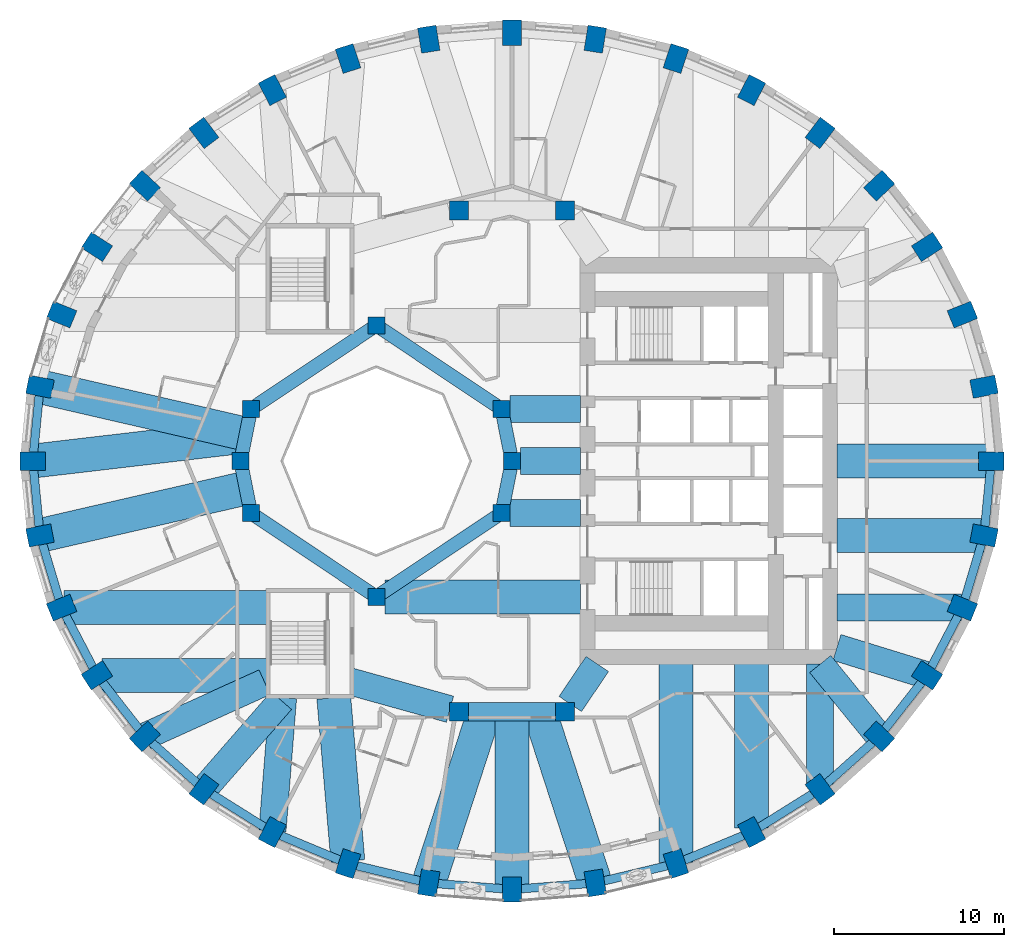
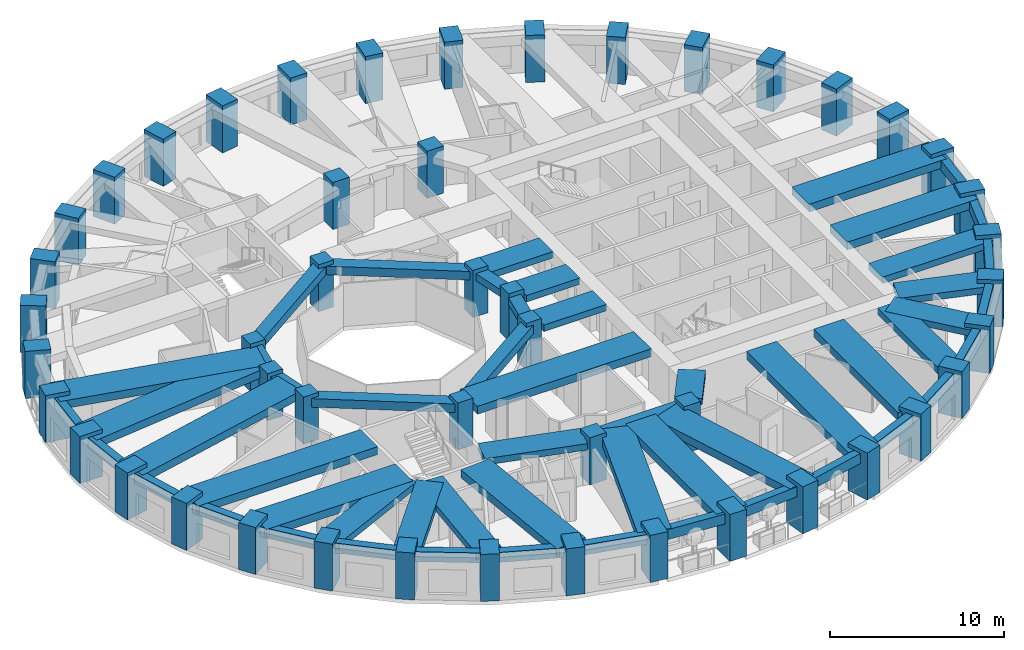
# One storey, part 1 of 13: 54 beams, 48 columns.
"""IFC4 building model written with IfcOpenShell, lengths in metres."""

import ifcopenshell
import ifcopenshell.guid

model = None  # the IFC model being written
_history = None  # IfcOwnerHistory: only IFC2X3 demands one
_inside = {}  # id of a spatial element -> (the spatial element, [elements in it])
_under = {}  # id of a project, library or spatial element -> (it, [spatial elements below it])
_declared = {}  # id of a project -> (the project, [libraries it declares])
_typed = {}  # id of a type object -> (the type object, [elements of that type])
_made_of = {}  # id of a material, layer set ... -> (it, [elements and type objects made of it])


def new_model(schema):
    """Start an empty IFC model of exactly this schema.

    Asked for "IFC4X3", IfcOpenShell would pick the latest addendum, in which some entities
    have other attributes; the version numbers below select the first issue.
    IFC2X3 requires an IfcOwnerHistory on every rooted entity: one is made here for all.
    """
    global model, _history
    if schema == "IFC4X3":
        model = ifcopenshell.file(schema_version=(4, 3, 0, 0))
    else:
        model = ifcopenshell.file(schema=schema)
    _inside.clear()
    _under.clear()
    _declared.clear()
    _typed.clear()
    _made_of.clear()
    _history = None
    if model.schema == "IFC2X3":
        org = make("IfcOrganization", Name="unknown")
        user = make(
            "IfcPersonAndOrganization",
            ThePerson=make("IfcPerson", FamilyName="unknown"),
            TheOrganization=org,
        )
        app = make(
            "IfcApplication",
            ApplicationDeveloper=org,
            Version="unknown",
            ApplicationFullName="unknown",
            ApplicationIdentifier="unknown",
        )
        _history = make(
            "IfcOwnerHistory",
            OwningUser=user,
            OwningApplication=app,
            ChangeAction="ADDED",
            CreationDate=0,
        )
    return model


def make(cls, **values):
    """One entity of the class cls with the attributes given. An attribute that is None is left unset."""
    return model.create_entity(
        cls, **{name: value for name, value in values.items() if value is not None}
    )


def rooted(cls, **values):
    """An entity with a GlobalId (a new one), such as an element, a storey or a relation."""
    return make(cls, GlobalId=ifcopenshell.guid.new(), OwnerHistory=_history, **values)


def si_unit(unit_type, name, prefix=None):
    """IfcSIUnit, for example si_unit("LENGTHUNIT", "METRE", prefix="MILLI")."""
    return make("IfcSIUnit", UnitType=unit_type, Prefix=prefix, Name=name)


def assignment(units):
    """IfcUnitAssignment: the units of a project."""
    return None if units is None else make("IfcUnitAssignment", Units=units)


def point(xyz):
    """IfcCartesianPoint."""
    return None if xyz is None else make("IfcCartesianPoint", Coordinates=xyz)


def direction(xyz):
    """IfcDirection."""
    return None if xyz is None else make("IfcDirection", DirectionRatios=xyz)


def frame(location, z_axis=None, x_axis=None):
    """IfcAxis2Placement3D, a coordinate frame: its origin and axes. An axis left out is left unset."""
    return make(
        "IfcAxis2Placement3D",
        Location=point(location),
        Axis=direction(z_axis),
        RefDirection=direction(x_axis),
    )


def frame_2d(location, x_axis=None):
    """IfcAxis2Placement2D, a coordinate frame in the plane: its origin and x axis."""
    return make(
        "IfcAxis2Placement2D", Location=point(location), RefDirection=direction(x_axis)
    )


def origin():
    """The frame at (0, 0, 0) with its axes left unset."""
    return frame((0.0, 0.0, 0.0))


def origin_2d():
    """The frame at (0, 0) in the plane with its x axis left unset."""
    return frame_2d((0.0, 0.0))


def place(relative_to, where):
    """IfcLocalPlacement: puts the frame where relative to a parent placement (None: the world)."""
    return make(
        "IfcLocalPlacement", PlacementRelTo=relative_to, RelativePlacement=where
    )


def context(
    kind, dimensions, precision=None, world=None, true_north=None, identifier=None
):
    """IfcGeometricRepresentationContext, for example the 3D "Model" context."""
    return make(
        "IfcGeometricRepresentationContext",
        ContextIdentifier=identifier,
        ContextType=kind,
        CoordinateSpaceDimension=dimensions,
        Precision=precision,
        WorldCoordinateSystem=world,
        TrueNorth=true_north,
    )


def subcontext(parent, identifier, kind, view, scale=None):
    """IfcGeometricRepresentationSubContext, for example "Body" below "Model"."""
    return make(
        "IfcGeometricRepresentationSubContext",
        ContextIdentifier=identifier,
        ContextType=kind,
        ParentContext=parent,
        TargetScale=scale,
        TargetView=view,
    )


def project(units=None, contexts=None):
    """IfcProject with its units and contexts."""
    return rooted(
        "IfcProject",
        Name="project",
        RepresentationContexts=contexts,
        UnitsInContext=assignment(units),
    )


def spatial(cls, under=None, at=None, **own):
    """A site, building, storey or space (cls), placed at a placement, below another one or the project."""
    s = rooted(cls, ObjectPlacement=at, **own)
    if under is not None:
        _under.setdefault(under.id(), (under, []))[1].append(s)
    return s


def profile(cls, at=None, kind="AREA", **sizes):
    """A parametric profile (cls). Its sizes go by their IFC names, for example OverallWidth=200.0."""
    return make(cls, ProfileType=kind, Position=at, **sizes)


def rectangle(**sizes):
    """IfcRectangleProfileDef."""
    return profile("IfcRectangleProfileDef", **sizes)


def extrude(swept, where, along, depth):
    """IfcExtrudedAreaSolid: the profile swept, set in the frame where, extruded along a direction by depth."""
    return make(
        "IfcExtrudedAreaSolid",
        SweptArea=swept,
        Position=where,
        ExtrudedDirection=direction(along),
        Depth=depth,
    )


def shape(context_of_items, identifier, shape_type, items):
    """IfcShapeRepresentation: the items that make up one representation, for example the "Body"."""
    return make(
        "IfcShapeRepresentation",
        ContextOfItems=context_of_items,
        RepresentationIdentifier=identifier,
        RepresentationType=shape_type,
        Items=items,
    )


def material(Name=None, Category=None):
    """IfcMaterial."""
    return make("IfcMaterial", Name=Name, Category=Category)


def material_profile(
    of_material, cross_section, Name=None, Category=None, Priority=None
):
    """IfcMaterialProfile: a cross section and its material."""
    return make(
        "IfcMaterialProfile",
        Name=Name,
        Material=of_material,
        Profile=cross_section,
        Priority=Priority,
        Category=Category,
    )


def profile_set(profiles, Name=None, composite=None):
    """IfcMaterialProfileSet."""
    return make(
        "IfcMaterialProfileSet",
        Name=Name,
        MaterialProfiles=profiles,
        CompositeProfile=composite,
    )


def made_of(thing, what):
    """Note that an element or type object is made of a material, layer set ...; save() writes the relation."""
    if what is not None:
        _made_of.setdefault(what.id(), (what, []))[1].append(thing)
    return thing


def type_object(cls, material=None, **own):
    """A type object (cls), such as IfcWallType, which elements share."""
    return made_of(rooted(cls, **own), material)


def element(
    cls,
    number,
    at=None,
    inside=None,
    cuts=None,
    type_object=None,
    material=None,
    context=None,
    identifier="Body",
    shape_type=None,
    held_by="IfcProductDefinitionShape",
    body=None,
    shapes=None,
    **own,
):
    """One element of the class cls, such as IfcWall. Its Tag is "e" and its number.

    at: its placement. inside: the storey or other place that contains it. cuts: it is an
    opening in that element (IfcRelVoidsElement). A single representation is given by context,
    identifier, shape_type and body (its items); several are given by shapes. held_by: the class
    of the entity that holds the representations. save() writes the other relations.
    """
    e = rooted(cls, Tag="e%d" % number, ObjectPlacement=at, **own)
    if body is not None:
        shapes = [shape(context, identifier, shape_type, body)]
    if shapes is not None:
        e.Representation = make(held_by, Representations=shapes)
    if inside is not None:
        _inside.setdefault(inside.id(), (inside, []))[1].append(e)
    if cuts is not None:
        rooted(
            "IfcRelVoidsElement", RelatingBuildingElement=cuts, RelatedOpeningElement=e
        )
    if type_object is not None:
        _typed.setdefault(type_object.id(), (type_object, []))[1].append(e)
    return made_of(e, material)


def aggregate(whole, parts):
    """IfcRelAggregates: a whole, such as a stair, and the parts it consists of."""
    return rooted("IfcRelAggregates", RelatingObject=whole, RelatedObjects=parts)


def save(model, path):
    """Write the relations noted so far, then the file.

    IfcRelAggregates (storeys below a building ...), IfcRelContainedInSpatialStructure (elements
    in a storey), IfcRelDefinesByType, IfcRelAssociatesMaterial and IfcRelDeclares: one each for
    every whole, place, type object, material and project.
    """
    for whole, parts in _under.values():
        aggregate(whole, parts)
    for where, things in _inside.values():
        rooted(
            "IfcRelContainedInSpatialStructure",
            RelatedElements=things,
            RelatingStructure=where,
        )
    for kind, things in _typed.values():
        rooted("IfcRelDefinesByType", RelatedObjects=things, RelatingType=kind)
    for what, things in _made_of.values():
        rooted("IfcRelAssociatesMaterial", RelatedObjects=things, RelatingMaterial=what)
    for by, libraries in _declared.values():
        rooted("IfcRelDeclares", RelatingContext=by, RelatedDefinitions=libraries)
    model.write(path)


model = new_model("IFC4")

# Units and contexts
model_context = context("Model", 3, precision=1e-05, world=origin(), true_north=direction((0.0, 1.0)))
body_context = subcontext(model_context, "Body", "Model", "MODEL_VIEW")
ifc_project = project(units=[si_unit("LENGTHUNIT", "METRE"), si_unit("AREAUNIT", "SQUARE_METRE"), si_unit("VOLUMEUNIT", "CUBIC_METRE"), si_unit("PLANEANGLEUNIT", "RADIAN"), si_unit("MASSUNIT", "GRAM", prefix="KILO")], contexts=[model_context])

# Site, building, storey
site_placement = place(None, origin())
site = spatial("IfcSite", under=ifc_project, at=site_placement, CompositionType="ELEMENT")
building_placement = place(site_placement, origin())
building = spatial("IfcBuilding", under=site, at=building_placement, Name="Taillehof Tower", CompositionType="ELEMENT")
storey_placement = place(building_placement, frame((0.0, 0.0, 74.5)))
storey = spatial("IfcBuildingStorey", under=building, at=storey_placement, Name="L20", CompositionType="ELEMENT", Elevation=74.5)

# Columns
ifc_material_1 = material(Name="Concrete C50/60", Category="concrete")
ifc_material_profile_1 = material_profile(ifc_material_1, rectangle(XDim=1.0, YDim=1.0, at=origin_2d()), Name="RC 1000x1000")
ifc_profile_set_1 = profile_set([ifc_material_profile_1], Name="Concrete C50/60")
column_type_1 = type_object("IfcColumnType", Name="Atrium ring column C50/60 1000x1000", PredefinedType="COLUMN", material=ifc_profile_set_1)
for number, where, z_axis, x_axis, name in (
    (1, (0.0, 0.0, 0.0), (0.0, 0.0, 1.0), (1.0, 0.0, 0.0), "Column AC01"),
    (2, (-0.60888671875, 3.0615234375, 0.0), (0.0, 0.0, 1.0), (1.0, 0.0, 0.0), "Column AC02"),
    (3, (-8.0, 8.0, 0.0), (0.0, 0.0, 1.0), (1.0, 0.0, 0.0), "Column AC05"),
    (4, (-15.39111328125, 3.0615234375, 0.0), (0.0, 0.0, 1.0), (1.0, 0.0, 0.0), "Column AC08"),
    (5, (-16.0, 0.0, 0.0), (0.0, 0.0, 1.0), (1.0, 0.0, 0.0), "Column AC09"),
    (6, (-15.39111328125, -3.0615234375, 0.0), (0.0, 0.0, 1.0), (1.0, 0.0, 0.0), "Column AC10"),
    (7, (-8.0, -8.0, 0.0), (0.0, 0.0, 1.0), (1.0, 0.0, 0.0), "Column AC13"),
    (8, (-0.60888671875, -3.0615234375, 0.0), (0.0, 0.0, 1.0), (1.0, 0.0, 0.0), "Column AC16"),
):
    element("IfcColumn", number, at=place(storey_placement, frame(where, z_axis=z_axis, x_axis=x_axis)), inside=storey, type_object=column_type_1, Name=name, PredefinedType="COLUMN", context=body_context, shape_type="SweptSolid", body=[
        extrude(rectangle(XDim=1.0, YDim=1.0, at=origin_2d()), origin(), (0.0, 0.0, 1.0), 3.300048828125),
    ])
ifc_material_2 = material(Name="Concrete C50/60", Category="concrete")
ifc_material_profile_2 = material_profile(ifc_material_2, rectangle(XDim=1.10009765625, YDim=1.10009765625, at=origin_2d()), Name="RC 1100x1100")
ifc_profile_set_2 = profile_set([ifc_material_profile_2], Name="Concrete C50/60")
column_type_2 = type_object("IfcColumnType", Name="Mid-ring column C50/60 1100x1100", PredefinedType="COLUMN", material=ifc_profile_set_2)
for number, where, z_axis, x_axis, name in (
    (9, (3.125732421875, 14.772216796875, 0.0), (0.0, 0.0, 1.0), (1.0, 0.0, 0.0), "Column MC05"),
    (10, (3.125732421875, -14.772216796875, 0.0), (0.0, 0.0, 1.0), (1.0, 0.0, 0.0), "Column MC15"),
):
    element("IfcColumn", number, at=place(storey_placement, frame(where, z_axis=z_axis, x_axis=x_axis)), inside=storey, type_object=column_type_2, Name=name, PredefinedType="COLUMN", context=body_context, shape_type="SweptSolid", body=[
        extrude(rectangle(XDim=1.10009765625, YDim=1.10009765625, at=origin_2d()), origin(), (0.0, 0.0, 1.0), 3.300048828125),
    ])
ifc_material_3 = material(Name="Concrete C60/75", Category="concrete")
ifc_material_profile_3 = material_profile(ifc_material_3, rectangle(XDim=1.10009765625, YDim=1.10009765625, at=origin_2d()), Name="RC 1100x1100")
ifc_profile_set_3 = profile_set([ifc_material_profile_3], Name="Concrete C60/75")
column_type_3 = type_object("IfcColumnType", Name="Mid-ring column C60/75 1100x1100", PredefinedType="COLUMN", material=ifc_profile_set_3)
for number, where, z_axis, x_axis, name in (
    (11, (-3.125732421875, 14.772216796875, 0.0), (0.0, 0.0, 1.0), (1.0, 0.0, 0.0), "Column MC06"),
    (12, (-3.125732421875, -14.772216796875, 0.0), (0.0, 0.0, 1.0), (1.0, 0.0, 0.0), "Column MC14"),
):
    element("IfcColumn", number, at=place(storey_placement, frame(where, z_axis=z_axis, x_axis=x_axis)), inside=storey, type_object=column_type_3, Name=name, PredefinedType="COLUMN", context=body_context, shape_type="SweptSolid", body=[
        extrude(rectangle(XDim=1.10009765625, YDim=1.10009765625, at=origin_2d()), origin(), (0.0, 0.0, 1.0), 3.300048828125),
    ])
ifc_material_4 = material(Name="Concrete C70/85", Category="concrete")
ifc_material_profile_4 = material_profile(ifc_material_4, rectangle(XDim=1.5, YDim=1.10009765625, at=origin_2d()), Name="RC 1500x1100")
ifc_profile_set_4 = profile_set([ifc_material_profile_4], Name="Concrete C70/85")
column_type_4 = type_object("IfcColumnType", Name="Ring column C70/85 1500x1100", PredefinedType="COLUMN", material=ifc_profile_set_4)
for number, where, z_axis, x_axis, name in (
    (13, (28.25, 0.0, 0.0), (0.0, 0.0, 1.0), (1.0, 0.0, 0.0), "Ring column RC01"),
    (14, (27.82080078125, 4.384521484375, 0.0), (0.0, 0.0, 1.0), (0.98120354895, 0.192975634545, 0.0), "Ring column RC02"),
    (15, (26.54638671875, 8.635986328125, 0.0), (0.0, 0.0, 1.0), (0.926558045297, 0.37615181602, 0.0), "Ring column RC03"),
    (16, (24.46533203125, 12.625, 0.0), (0.0, 0.0, 1.0), (0.840753565229, 0.541417992456, 0.0), "Ring column RC04"),
    (17, (21.640869140625, 16.23046875, 0.0), (0.0, 0.0, 1.0), (0.730113022917, 0.683326403535, 0.0), "Ring column RC05"),
    (18, (18.15869140625, 19.342529296875, 0.0), (0.0, 0.0, 1.0), (0.601173783055, 0.79911831575, 0.0), "Ring column RC06"),
    (19, (14.125, 21.8671875, 0.0), (0.0, 0.0, 1.0), (0.459691308511, 0.888078769524, 0.0), "Ring column RC07"),
    (20, (9.662109375, 23.727294921875, 0.0), (0.0, 0.0, 1.0), (0.310219183529, 0.950665060981, 0.0), "Ring column RC08"),
    (21, (4.905517578125, 24.866455078125, 0.0), (0.0, 0.0, 1.0), (0.15614709407, 0.987733812833, 0.0), "Ring column RC09"),
    (22, (0.0, 25.25, 0.0), (0.0, 0.0, 1.0), (0.0, 1.0, 0.0), "Ring column RC10"),
    (23, (-4.905517578125, 24.866455078125, 0.0), (0.0, 0.0, 1.0), (-0.15614709407, 0.987733812833, 0.0), "Ring column RC11"),
    (24, (-9.662109375, 23.727294921875, 0.0), (0.0, 0.0, 1.0), (-0.310219183529, 0.950665060981, 0.0), "Ring column RC12"),
    (25, (-14.125, 21.8671875, 0.0), (0.0, 0.0, 1.0), (-0.459691308511, 0.888078769524, 0.0), "Ring column RC13"),
    (26, (-18.15869140625, 19.342529296875, 0.0), (0.0, 0.0, 1.0), (-0.601173783055, 0.79911831575, 0.0), "Ring column RC14"),
    (27, (-21.640869140625, 16.23046875, 0.0), (0.0, 0.0, 1.0), (-0.730113022917, 0.683326403535, 0.0), "Ring column RC15"),
    (28, (-24.46533203125, 12.625, 0.0), (0.0, 0.0, 1.0), (-0.840753565229, 0.541417992456, 0.0), "Ring column RC16"),
    (29, (-26.54638671875, 8.635986328125, 0.0), (0.0, 0.0, 1.0), (-0.926558045297, 0.37615181602, 0.0), "Ring column RC17"),
    (30, (-27.82080078125, 4.384521484375, 0.0), (0.0, 0.0, 1.0), (-0.98120354895, 0.192975634545, 0.0), "Ring column RC18"),
    (31, (-28.25, 0.0, 0.0), (0.0, 0.0, 1.0), (-1.0, 0.0, 0.0), "Ring column RC19"),
    (32, (-27.82080078125, -4.384521484375, 0.0), (0.0, 0.0, 1.0), (-0.98120354895, -0.192975634545, 0.0), "Ring column RC20"),
    (33, (-26.54638671875, -8.635986328125, 0.0), (0.0, 0.0, 1.0), (-0.926558045297, -0.37615181602, 0.0), "Ring column RC21"),
    (34, (-24.46533203125, -12.625, 0.0), (0.0, 0.0, 1.0), (-0.840753565229, -0.541417992456, 0.0), "Ring column RC22"),
    (35, (-21.640869140625, -16.23046875, 0.0), (0.0, 0.0, 1.0), (-0.730113022917, -0.683326403535, 0.0), "Ring column RC23"),
    (36, (-18.15869140625, -19.342529296875, 0.0), (0.0, 0.0, 1.0), (-0.601173783055, -0.79911831575, 0.0), "Ring column RC24"),
    (37, (-14.125, -21.8671875, 0.0), (0.0, 0.0, 1.0), (-0.459691308511, -0.888078769524, 0.0), "Ring column RC25"),
    (38, (-9.662109375, -23.727294921875, 0.0), (0.0, 0.0, 1.0), (-0.310219183529, -0.950665060981, 0.0), "Ring column RC26"),
    (39, (-4.905517578125, -24.866455078125, 0.0), (0.0, 0.0, 1.0), (-0.15614709407, -0.987733812833, 0.0), "Ring column RC27"),
    (40, (0.0, -25.25, 0.0), (0.0, 0.0, 1.0), (0.0, -1.0, 0.0), "Ring column RC28"),
    (41, (4.905517578125, -24.866455078125, 0.0), (0.0, 0.0, 1.0), (0.15614709407, -0.987733812833, 0.0), "Ring column RC29"),
    (42, (9.662109375, -23.727294921875, 0.0), (0.0, 0.0, 1.0), (0.310219183529, -0.950665060981, 0.0), "Ring column RC30"),
    (43, (14.125, -21.8671875, 0.0), (0.0, 0.0, 1.0), (0.459691308511, -0.888078769524, 0.0), "Ring column RC31"),
    (44, (18.15869140625, -19.342529296875, 0.0), (0.0, 0.0, 1.0), (0.601173783055, -0.79911831575, 0.0), "Ring column RC32"),
    (45, (21.640869140625, -16.23046875, 0.0), (0.0, 0.0, 1.0), (0.730113022917, -0.683326403535, 0.0), "Ring column RC33"),
    (46, (24.46533203125, -12.625, 0.0), (0.0, 0.0, 1.0), (0.840753565229, -0.541417992456, 0.0), "Ring column RC34"),
    (47, (26.54638671875, -8.635986328125, 0.0), (0.0, 0.0, 1.0), (0.926558045297, -0.37615181602, 0.0), "Ring column RC35"),
    (48, (27.82080078125, -4.384521484375, 0.0), (0.0, 0.0, 1.0), (0.98120354895, -0.192975634545, 0.0), "Ring column RC36"),
):
    element("IfcColumn", number, at=place(storey_placement, frame(where, z_axis=z_axis, x_axis=x_axis)), inside=storey, type_object=column_type_4, Name=name, PredefinedType="COLUMN", context=body_context, shape_type="SweptSolid", body=[
        extrude(rectangle(XDim=1.5, YDim=1.10009765625, at=origin_2d()), origin(), (0.0, 0.0, 1.0), 3.300048828125),
    ])

# Beams
ifc_material_5 = material(Name="Concrete C50/60", Category="concrete")
ifc_material_profile_5 = material_profile(ifc_material_5, rectangle(XDim=0.800048828125, YDim=0.5, at=origin_2d()), Name="RC 800x500")
ifc_profile_set_5 = profile_set([ifc_material_profile_5], Name="Concrete C50/60")
beam_type_1 = type_object("IfcBeamType", Name="Atrium ring beam C50/60 800x500", PredefinedType="BEAM", material=ifc_profile_set_5)
for number, where, z_axis, x_axis, name in (
    (49, (0.0, 0.0, 2.77001953125), (-0.195063155143, 0.980790683839, 0.0), (-0.980790683839, -0.195063155143, 0.0), "Atrium ring beam AB01"),
    (50, (-15.39111328125, 3.0615234375, 2.77001953125), (-0.195063155143, -0.980790683839, 0.0), (0.980790683839, -0.195063155143, 0.0), "Atrium ring beam AB04"),
    (51, (-16.0, 0.0, 2.77001953125), (0.195063155143, -0.980790683839, 0.0), (0.980790683839, 0.195063155143, 0.0), "Atrium ring beam AB05"),
    (52, (-0.60888671875, -3.0615234375, 2.77001953125), (0.195063155143, 0.980790683839, 0.0), (-0.980790683839, 0.195063155143, 0.0), "Atrium ring beam AB08"),
):
    element("IfcBeam", number, at=place(storey_placement, frame(where, z_axis=z_axis, x_axis=x_axis)), inside=storey, type_object=beam_type_1, Name=name, PredefinedType="BEAM", context=body_context, shape_type="SweptSolid", body=[
        extrude(rectangle(XDim=0.800048828125, YDim=0.5, at=origin_2d()), origin(), (0.0, 0.0, 1.0), 3.12158203125),
    ])
ifc_material_6 = material(Name="Concrete C50/60", Category="concrete")
ifc_material_profile_6 = material_profile(ifc_material_6, rectangle(XDim=0.800048828125, YDim=0.60009765625, at=origin_2d()), Name="RC 800x600")
ifc_profile_set_6 = profile_set([ifc_material_profile_6], Name="Concrete C50/60")
beam_type_2 = type_object("IfcBeamType", Name="Atrium ring beam C50/60 800x600", PredefinedType="BEAM", material=ifc_profile_set_6)
for number, where, z_axis, x_axis, name in (
    (53, (-0.60888671875, 3.0615234375, 2.719970703125), (-0.831475195687, 0.555561876804, 0.0), (-0.555561876804, -0.831475195687, 0.0), "Atrium ring beam AB02"),
    (54, (-8.0, 8.0, 2.719970703125), (-0.831475195687, -0.555561876804, 0.0), (0.555561876804, -0.831475195687, 0.0), "Atrium ring beam AB03"),
    (55, (-15.39111328125, -3.0615234375, 2.719970703125), (0.831475195687, -0.555561876804, 0.0), (0.555561876804, 0.831475195687, 0.0), "Atrium ring beam AB06"),
    (56, (-8.0, -8.0, 2.719970703125), (0.831475195687, 0.555561876804, 0.0), (-0.555561876804, 0.831475195687, 0.0), "Atrium ring beam AB07"),
):
    element("IfcBeam", number, at=place(storey_placement, frame(where, z_axis=z_axis, x_axis=x_axis)), inside=storey, type_object=beam_type_2, Name=name, PredefinedType="BEAM", context=body_context, shape_type="SweptSolid", body=[
        extrude(rectangle(XDim=0.800048828125, YDim=0.60009765625, at=origin_2d()), origin(), (0.0, 0.0, 1.0), 8.88916015625),
    ])
ifc_material_7 = material(Name="Concrete C50/60", Category="concrete")
ifc_material_profile_7 = material_profile(ifc_material_7, rectangle(XDim=1.10009765625, YDim=0.60009765625, at=origin_2d()), Name="RC 1100x600")
ifc_profile_set_7 = profile_set([ifc_material_profile_7], Name="Concrete C50/60")
beam_type_3 = type_object("IfcBeamType", Name="Mid-ring beam C50/60 1100x600", PredefinedType="BEAM", material=ifc_profile_set_7)
beam_1_placement = place(storey_placement, frame((-3.125732421875, -14.772216796875, 2.719970703125), z_axis=(1.0, 0.0, 0.0), x_axis=(0.0, 1.0, 0.0)))
element("IfcBeam", 57, at=beam_1_placement, inside=storey, type_object=beam_type_3, Name="Mid-ring beam MB02", PredefinedType="BEAM", context=body_context, shape_type="SweptSolid", body=[
    extrude(rectangle(XDim=1.10009765625, YDim=0.60009765625, at=origin_2d()), origin(), (0.0, 0.0, 1.0), 6.25146484375),
])
ifc_material_8 = material(Name="Concrete C50/60", Category="concrete")
ifc_material_profile_8 = material_profile(ifc_material_8, rectangle(XDim=1.60009765625, YDim=0.449951171875, at=origin_2d()), Name="RC 1600x450")
ifc_profile_set_8 = profile_set([ifc_material_profile_8], Name="Concrete C50/60")
beam_type_4 = type_object("IfcBeamType", Name="Radial band beam C50/60 1600x450", PredefinedType="BEAM", material=ifc_profile_set_8)
beam_2_placement = place(storey_placement, frame((-21.632568359375, -16.226806640625, 2.794921875), z_axis=(0.911100590789, 0.412184077161, 0.0), x_axis=(-0.412184077161, 0.911100590789, 0.0)))
element("IfcBeam", 58, at=beam_2_placement, inside=storey, type_object=beam_type_4, Name="Radial band beam RB23", PredefinedType="BEAM", context=body_context, shape_type="SweptSolid", body=[
    extrude(rectangle(XDim=1.60009765625, YDim=0.449951171875, at=origin_2d()), origin(), (0.0, 0.0, 1.0), 7.740966796875),
])
beam_3_placement = place(storey_placement, frame((-18.15869140625, -19.342529296875, 2.794921875), z_axis=(0.65721824087, 0.753700327628, 0.0), x_axis=(-0.753700327628, 0.65721824087, 0.0)))
element("IfcBeam", 59, at=beam_3_placement, inside=storey, type_object=beam_type_4, Name="Radial band beam RB24", PredefinedType="BEAM", context=body_context, shape_type="SweptSolid", body=[
    extrude(rectangle(XDim=1.60009765625, YDim=0.449951171875, at=origin_2d()), origin(), (0.0, 0.0, 1.0), 6.9384765625),
])
beam_4_placement = place(storey_placement, frame((-14.119873046875, -21.802978515625, 2.794921875), z_axis=(0.079184740988, 0.996859958467, 0.0), x_axis=(-0.996859958467, 0.079184740988, 0.0)))
element("IfcBeam", 60, at=beam_4_placement, inside=storey, type_object=beam_type_4, Name="Radial band beam RB25", PredefinedType="BEAM", context=body_context, shape_type="SweptSolid", body=[
    extrude(rectangle(XDim=1.60009765625, YDim=0.449951171875, at=origin_2d()), origin(), (0.0, 0.0, 1.0), 7.87744140625),
])
beam_5_placement = place(storey_placement, frame((18.15869140625, -19.05517578125, 2.794921875), z_axis=(0.0, 1.0, 0.0), x_axis=(-1.0, 0.0, 0.0)))
element("IfcBeam", 61, at=beam_5_placement, inside=storey, type_object=beam_type_4, Name="Radial band beam RB32", PredefinedType="BEAM", context=body_context, shape_type="SweptSolid", body=[
    extrude(rectangle(XDim=1.60009765625, YDim=0.449951171875, at=origin_2d()), origin(), (0.0, 0.0, 1.0), 7.105224609375),
])
beam_6_placement = place(storey_placement, frame((21.640869140625, -16.23046875, 2.794921875), z_axis=(-0.630988373846, 0.775792286679, 0.0), x_axis=(-0.775792286679, -0.630988373846, 0.0)))
element("IfcBeam", 62, at=beam_6_placement, inside=storey, type_object=beam_type_4, Name="Radial band beam RB33", PredefinedType="BEAM", context=body_context, shape_type="SweptSolid", body=[
    extrude(rectangle(XDim=1.60009765625, YDim=0.449951171875, at=origin_2d()), origin(), (0.0, 0.0, 1.0), 5.503173828125),
])
beam_7_placement = place(storey_placement, frame((24.46533203125, -12.625, 2.794921875), z_axis=(-0.955535654338, 0.294875589511, 0.0), x_axis=(-0.294875589511, -0.955535654338, 0.0)))
element("IfcBeam", 63, at=beam_7_placement, inside=storey, type_object=beam_type_4, Name="Radial band beam RB34", PredefinedType="BEAM", context=body_context, shape_type="SweptSolid", body=[
    extrude(rectangle(XDim=1.60009765625, YDim=0.449951171875, at=origin_2d()), origin(), (0.0, 0.0, 1.0), 5.560546875),
])
beam_8_placement = place(storey_placement, frame((26.490478515625, -8.635986328125, 2.794921875), z_axis=(-1.0, 0.0, 0.0), x_axis=(0.0, -1.0, 0.0)))
element("IfcBeam", 64, at=beam_8_placement, inside=storey, type_object=beam_type_4, Name="Radial band beam RB35", PredefinedType="BEAM", context=body_context, shape_type="SweptSolid", body=[
    extrude(rectangle(XDim=1.60009765625, YDim=0.449951171875, at=origin_2d()), origin(), (0.0, 0.0, 1.0), 7.340576171875),
])
beam_9_placement = place(storey_placement, frame((0.5, 0.0, 2.794921875), z_axis=(1.0, 0.0, 0.0), x_axis=(0.0, 1.0, 0.0)))
element("IfcBeam", 65, at=beam_9_placement, inside=storey, type_object=beam_type_4, Name="Inner band beam IB101", PredefinedType="BEAM", context=body_context, shape_type="SweptSolid", body=[
    extrude(rectangle(XDim=1.60009765625, YDim=0.449951171875, at=origin_2d()), origin(), (0.0, 0.0, 1.0), 3.550048828125),
])
for number, where, z_axis, x_axis, name in (
    (66, (-0.10888671875, 3.0615234375, 2.794921875), (1.0, 0.0, 0.0), (0.0, 1.0, 0.0), "Inner band beam IB102"),
    (67, (-0.10888671875, -3.0615234375, 2.794921875), (1.0, 0.0, 0.0), (0.0, 1.0, 0.0), "Inner band beam IB116"),
):
    element("IfcBeam", number, at=place(storey_placement, frame(where, z_axis=z_axis, x_axis=x_axis)), inside=storey, type_object=beam_type_4, Name=name, PredefinedType="BEAM", context=body_context, shape_type="SweptSolid", body=[
        extrude(rectangle(XDim=1.60009765625, YDim=0.449951171875, at=origin_2d()), origin(), (0.0, 0.0, 1.0), 4.158935546875),
    ])
beam_10_placement = place(storey_placement, frame((-3.655517578125, -14.624755859375, 2.794921875), z_axis=(-0.963459369536, 0.267854518821, 0.0), x_axis=(-0.267854518821, -0.963459369536, 0.0)))
element("IfcBeam", 68, at=beam_10_placement, inside=storey, type_object=beam_type_4, Name="Inner band beam IB214", PredefinedType="BEAM", context=body_context, shape_type="SweptSolid", body=[
    extrude(rectangle(XDim=1.60009765625, YDim=0.449951171875, at=origin_2d()), origin(), (0.0, 0.0, 1.0), 6.096923828125),
])
beam_11_placement = place(storey_placement, frame((3.433837890625, -14.31640625, 2.794921875), z_axis=(0.560112043398, 0.828416862962, 0.0), x_axis=(-0.828416862962, 0.560112043398, 0.0)))
element("IfcBeam", 69, at=beam_11_placement, inside=storey, type_object=beam_type_4, Name="Inner band beam IB215", PredefinedType="BEAM", context=body_context, shape_type="SweptSolid", body=[
    extrude(rectangle(XDim=1.60009765625, YDim=0.449951171875, at=origin_2d()), origin(), (0.0, 0.0, 1.0), 2.84619140625),
])
ifc_material_9 = material(Name="Concrete C50/60", Category="concrete")
ifc_material_profile_9 = material_profile(ifc_material_9, rectangle(XDim=2.0, YDim=0.550048828125, at=origin_2d()), Name="RC 2000x550")
ifc_profile_set_9 = profile_set([ifc_material_profile_9], Name="Concrete C50/60")
beam_type_5 = type_object("IfcBeamType", Name="Radial band beam C50/60 2000x550", PredefinedType="BEAM", material=ifc_profile_set_9)
beam_12_placement = place(storey_placement, frame((28.25, 0.0, 2.7451171875), z_axis=(-1.0, 0.0, 0.0), x_axis=(0.0, -1.0, 0.0)))
element("IfcBeam", 70, at=beam_12_placement, inside=storey, type_object=beam_type_5, Name="Radial band beam RB01", PredefinedType="BEAM", context=body_context, shape_type="SweptSolid", body=[
    extrude(rectangle(XDim=2.0, YDim=0.550048828125, at=origin_2d()), origin(), (0.0, 0.0, 1.0), 9.10009765625),
])
beam_13_placement = place(storey_placement, frame((-27.82080078125, 4.384521484375, 2.7451171875), z_axis=(0.974509005862, -0.2243483842, 0.0), x_axis=(0.2243483842, 0.974509005862, 0.0)))
element("IfcBeam", 71, at=beam_13_placement, inside=storey, type_object=beam_type_5, Name="Radial band beam RB18", PredefinedType="BEAM", context=body_context, shape_type="SweptSolid", body=[
    extrude(rectangle(XDim=2.0, YDim=0.550048828125, at=origin_2d()), origin(), (0.0, 0.0, 1.0), 12.45458984375),
])
beam_14_placement = place(storey_placement, frame((-28.25, 0.0, 2.7451171875), z_axis=(0.993191188018, 0.11649576835, 0.0), x_axis=(-0.11649576835, 0.993191188018, 0.0)))
element("IfcBeam", 72, at=beam_14_placement, inside=storey, type_object=beam_type_5, Name="Radial band beam RB19", PredefinedType="BEAM", context=body_context, shape_type="SweptSolid", body=[
    extrude(rectangle(XDim=2.0, YDim=0.550048828125, at=origin_2d()), origin(), (0.0, 0.0, 1.0), 12.628662109375),
])
beam_15_placement = place(storey_placement, frame((-27.82080078125, -4.384521484375, 2.7451171875), z_axis=(0.974509005862, 0.2243483842, 0.0), x_axis=(-0.2243483842, 0.974509005862, 0.0)))
element("IfcBeam", 73, at=beam_15_placement, inside=storey, type_object=beam_type_5, Name="Radial band beam RB20", PredefinedType="BEAM", context=body_context, shape_type="SweptSolid", body=[
    extrude(rectangle(XDim=2.0, YDim=0.550048828125, at=origin_2d()), origin(), (0.0, 0.0, 1.0), 12.45458984375),
])
beam_16_placement = place(storey_placement, frame((-26.408935546875, -8.635986328125, 2.7451171875), z_axis=(1.0, 0.0, 0.0), x_axis=(0.0, 1.0, 0.0)))
element("IfcBeam", 74, at=beam_16_placement, inside=storey, type_object=beam_type_5, Name="Radial band beam RB21", PredefinedType="BEAM", context=body_context, shape_type="SweptSolid", body=[
    extrude(rectangle(XDim=2.0, YDim=0.550048828125, at=origin_2d()), origin(), (0.0, 0.0, 1.0), 11.958984375),
])
beam_17_placement = place(storey_placement, frame((-24.172607421875, -12.625, 2.7451171875), z_axis=(1.0, 0.0, 0.0), x_axis=(0.0, 1.0, 0.0)))
element("IfcBeam", 75, at=beam_17_placement, inside=storey, type_object=beam_type_5, Name="Radial band beam RB22", PredefinedType="BEAM", context=body_context, shape_type="SweptSolid", body=[
    extrude(rectangle(XDim=2.0, YDim=0.550048828125, at=origin_2d()), origin(), (0.0, 0.0, 1.0), 9.72265625),
])
beam_18_placement = place(storey_placement, frame((-9.675048828125, -23.575927734375, 2.7451171875), z_axis=(-0.085841202752, 0.996308831593, 0.0), x_axis=(-0.996308831593, -0.085841202752, 0.0)))
element("IfcBeam", 76, at=beam_18_placement, inside=storey, type_object=beam_type_5, Name="Radial band beam RB26", PredefinedType="BEAM", context=body_context, shape_type="SweptSolid", body=[
    extrude(rectangle(XDim=2.0, YDim=0.550048828125, at=origin_2d()), origin(), (0.0, 0.0, 1.0), 9.661376953125),
])
beam_19_placement = place(storey_placement, frame((-4.905517578125, -24.866455078125, 2.7451171875), z_axis=(0.309014294595, 0.951057393503, 0.0), x_axis=(-0.951057393503, 0.309014294595, 0.0)))
element("IfcBeam", 77, at=beam_19_placement, inside=storey, type_object=beam_type_5, Name="Radial band beam RB27", PredefinedType="BEAM", context=body_context, shape_type="SweptSolid", body=[
    extrude(rectangle(XDim=2.0, YDim=0.550048828125, at=origin_2d()), origin(), (0.0, 0.0, 1.0), 10.61376953125),
])
beam_20_placement = place(storey_placement, frame((0.0, -25.25, 2.7451171875), z_axis=(0.0, 1.0, 0.0), x_axis=(-1.0, 0.0, 0.0)))
element("IfcBeam", 78, at=beam_20_placement, inside=storey, type_object=beam_type_5, Name="Radial band beam RB28", PredefinedType="BEAM", context=body_context, shape_type="SweptSolid", body=[
    extrude(rectangle(XDim=2.0, YDim=0.550048828125, at=origin_2d()), origin(), (0.0, 0.0, 1.0), 10.477783203125),
])
beam_21_placement = place(storey_placement, frame((4.905517578125, -24.866455078125, 2.7451171875), z_axis=(-0.309014294595, 0.951057393503, 0.0), x_axis=(-0.951057393503, -0.309014294595, 0.0)))
element("IfcBeam", 79, at=beam_21_placement, inside=storey, type_object=beam_type_5, Name="Radial band beam RB29", PredefinedType="BEAM", context=body_context, shape_type="SweptSolid", body=[
    extrude(rectangle(XDim=2.0, YDim=0.550048828125, at=origin_2d()), origin(), (0.0, 0.0, 1.0), 10.61376953125),
])
beam_22_placement = place(storey_placement, frame((9.662109375, -23.664794921875, 2.7451171875), z_axis=(0.0, 1.0, 0.0), x_axis=(-1.0, 0.0, 0.0)))
element("IfcBeam", 80, at=beam_22_placement, inside=storey, type_object=beam_type_5, Name="Radial band beam RB30", PredefinedType="BEAM", context=body_context, shape_type="SweptSolid", body=[
    extrude(rectangle(XDim=2.0, YDim=0.550048828125, at=origin_2d()), origin(), (0.0, 0.0, 1.0), 11.71484375),
])
beam_23_placement = place(storey_placement, frame((14.125, -21.63232421875, 2.7451171875), z_axis=(0.0, 1.0, 0.0), x_axis=(-1.0, 0.0, 0.0)))
element("IfcBeam", 81, at=beam_23_placement, inside=storey, type_object=beam_type_5, Name="Radial band beam RB31", PredefinedType="BEAM", context=body_context, shape_type="SweptSolid", body=[
    extrude(rectangle(XDim=2.0, YDim=0.550048828125, at=origin_2d()), origin(), (0.0, 0.0, 1.0), 9.682373046875),
])
beam_24_placement = place(storey_placement, frame((27.82080078125, -4.384521484375, 2.7451171875), z_axis=(-1.0, 0.0, 0.0), x_axis=(0.0, -1.0, 0.0)))
element("IfcBeam", 82, at=beam_24_placement, inside=storey, type_object=beam_type_5, Name="Radial band beam RB36", PredefinedType="BEAM", context=body_context, shape_type="SweptSolid", body=[
    extrude(rectangle(XDim=2.0, YDim=0.550048828125, at=origin_2d()), origin(), (0.0, 0.0, 1.0), 8.6708984375),
])
beam_25_placement = place(storey_placement, frame((-7.5, -8.0, 2.7451171875), z_axis=(1.0, 0.0, 0.0), x_axis=(0.0, 1.0, 0.0)))
element("IfcBeam", 83, at=beam_25_placement, inside=storey, type_object=beam_type_5, Name="Inner band beam IB113", PredefinedType="BEAM", context=body_context, shape_type="SweptSolid", body=[
    extrude(rectangle(XDim=2.0, YDim=0.550048828125, at=origin_2d()), origin(), (0.0, 0.0, 1.0), 11.550048828125),
])
ifc_material_10 = material(Name="Concrete C50/60", Category="concrete")
ifc_material_profile_10 = material_profile(ifc_material_10, rectangle(XDim=0.5, YDim=0.699951171875, at=origin_2d()), Name="RC 500x700")
ifc_profile_set_10 = profile_set([ifc_material_profile_10], Name="Concrete C50/60")
beam_type_6 = type_object("IfcBeamType", Name="Spandrel beam C50/60 500x700", PredefinedType="SPANDREL", material=ifc_profile_set_10)
for number, where, z_axis, x_axis, name in (
    (84, (-27.82080078125, 4.384521484375, 2.669921875), (-0.097423973567, -0.99524297002, 0.0), (0.99524297002, -0.097423973567, 0.0), "Spandrel beam SB18"),
    (85, (-28.25, 0.0, 2.669921875), (0.097423973567, -0.99524297002, 0.0), (0.99524297002, 0.097423973567, 0.0), "Spandrel beam SB19"),
):
    element("IfcBeam", number, at=place(storey_placement, frame(where, z_axis=z_axis, x_axis=x_axis)), inside=storey, type_object=beam_type_6, Name=name, PredefinedType="SPANDREL", context=body_context, shape_type="SweptSolid", body=[
        extrude(rectangle(XDim=0.5, YDim=0.699951171875, at=origin_2d()), origin(), (0.0, 0.0, 1.0), 4.405517578125),
    ])
beam_26_placement = place(storey_placement, frame((-27.82080078125, -4.384521484375, 2.669921875), z_axis=(0.287135925407, -0.957889847707, 0.0), x_axis=(0.957889847707, 0.287135925407, 0.0)))
element("IfcBeam", 86, at=beam_26_placement, inside=storey, type_object=beam_type_6, Name="Spandrel beam SB20", PredefinedType="SPANDREL", context=body_context, shape_type="SweptSolid", body=[
    extrude(rectangle(XDim=0.5, YDim=0.699951171875, at=origin_2d()), origin(), (0.0, 0.0, 1.0), 4.4384765625),
])
beam_27_placement = place(storey_placement, frame((-26.54638671875, -8.635986328125, 2.669921875), z_axis=(0.462536335232, -0.886600326297, 0.0), x_axis=(0.886600326297, 0.462536335232, 0.0)))
element("IfcBeam", 87, at=beam_27_placement, inside=storey, type_object=beam_type_6, Name="Spandrel beam SB21", PredefinedType="SPANDREL", context=body_context, shape_type="SweptSolid", body=[
    extrude(rectangle(XDim=0.5, YDim=0.699951171875, at=origin_2d()), origin(), (0.0, 0.0, 1.0), 4.499267578125),
])
beam_28_placement = place(storey_placement, frame((-24.46533203125, -12.625, 2.669921875), z_axis=(0.616686200373, -0.787209076593, 0.0), x_axis=(0.787209076593, 0.616686200373, 0.0)))
element("IfcBeam", 88, at=beam_28_placement, inside=storey, type_object=beam_type_6, Name="Spandrel beam SB22", PredefinedType="SPANDREL", context=body_context, shape_type="SweptSolid", body=[
    extrude(rectangle(XDim=0.5, YDim=0.699951171875, at=origin_2d()), origin(), (0.0, 0.0, 1.0), 4.580078125),
])
beam_29_placement = place(storey_placement, frame((-21.640869140625, -16.23046875, 2.669921875), z_axis=(0.745621283614, -0.666369943366, 0.0), x_axis=(0.666369943366, 0.745621283614, 0.0)))
element("IfcBeam", 89, at=beam_29_placement, inside=storey, type_object=beam_type_6, Name="Spandrel beam SB23", PredefinedType="SPANDREL", context=body_context, shape_type="SweptSolid", body=[
    extrude(rectangle(XDim=0.5, YDim=0.699951171875, at=origin_2d()), origin(), (0.0, 0.0, 1.0), 4.670166015625),
])
beam_30_placement = place(storey_placement, frame((-18.15869140625, -19.342529296875, 2.669921875), z_axis=(0.847658018883, -0.530543007703, 0.0), x_axis=(0.530543007703, 0.847658018883, 0.0)))
element("IfcBeam", 90, at=beam_30_placement, inside=storey, type_object=beam_type_6, Name="Spandrel beam SB24", PredefinedType="SPANDREL", context=body_context, shape_type="SweptSolid", body=[
    extrude(rectangle(XDim=0.5, YDim=0.699951171875, at=origin_2d()), origin(), (0.0, 0.0, 1.0), 4.758544921875),
])
beam_31_placement = place(storey_placement, frame((-14.125, -21.8671875, 2.669921875), z_axis=(0.923035088053, -0.384715773297, 0.0), x_axis=(0.384715773297, 0.923035088053, 0.0)))
element("IfcBeam", 91, at=beam_31_placement, inside=storey, type_object=beam_type_6, Name="Spandrel beam SB25", PredefinedType="SPANDREL", context=body_context, shape_type="SweptSolid", body=[
    extrude(rectangle(XDim=0.5, YDim=0.699951171875, at=origin_2d()), origin(), (0.0, 0.0, 1.0), 4.8349609375),
])
beam_32_placement = place(storey_placement, frame((-9.662109375, -23.727294921875, 2.669921875), z_axis=(0.9724995553, -0.232904733616, 0.0), x_axis=(0.232904733616, 0.9724995553, 0.0)))
element("IfcBeam", 92, at=beam_32_placement, inside=storey, type_object=beam_type_6, Name="Spandrel beam SB26", PredefinedType="SPANDREL", context=body_context, shape_type="SweptSolid", body=[
    extrude(rectangle(XDim=0.5, YDim=0.699951171875, at=origin_2d()), origin(), (0.0, 0.0, 1.0), 4.89111328125),
])
for number, where, z_axis, x_axis, name in (
    (93, (-4.905517578125, -24.866455078125, 2.669921875), (0.996957383661, -0.077948541767, 0.0), (0.077948541767, 0.996957383661, 0.0), "Spandrel beam SB27"),
    (94, (0.0, -25.25, 2.669921875), (0.996957383661, 0.077948541767, 0.0), (-0.077948541767, 0.996957383661, 0.0), "Spandrel beam SB28"),
):
    element("IfcBeam", number, at=place(storey_placement, frame(where, z_axis=z_axis, x_axis=x_axis)), inside=storey, type_object=beam_type_6, Name=name, PredefinedType="SPANDREL", context=body_context, shape_type="SweptSolid", body=[
        extrude(rectangle(XDim=0.5, YDim=0.699951171875, at=origin_2d()), origin(), (0.0, 0.0, 1.0), 4.92041015625),
    ])
beam_33_placement = place(storey_placement, frame((4.905517578125, -24.866455078125, 2.669921875), z_axis=(0.9724995553, 0.232904733616, 0.0), x_axis=(-0.232904733616, 0.9724995553, 0.0)))
element("IfcBeam", 95, at=beam_33_placement, inside=storey, type_object=beam_type_6, Name="Spandrel beam SB29", PredefinedType="SPANDREL", context=body_context, shape_type="SweptSolid", body=[
    extrude(rectangle(XDim=0.5, YDim=0.699951171875, at=origin_2d()), origin(), (0.0, 0.0, 1.0), 4.89111328125),
])
beam_34_placement = place(storey_placement, frame((9.662109375, -23.727294921875, 2.669921875), z_axis=(0.923035088053, 0.384715773297, 0.0), x_axis=(-0.384715773297, 0.923035088053, 0.0)))
element("IfcBeam", 96, at=beam_34_placement, inside=storey, type_object=beam_type_6, Name="Spandrel beam SB30", PredefinedType="SPANDREL", context=body_context, shape_type="SweptSolid", body=[
    extrude(rectangle(XDim=0.5, YDim=0.699951171875, at=origin_2d()), origin(), (0.0, 0.0, 1.0), 4.8349609375),
])
beam_35_placement = place(storey_placement, frame((14.125, -21.8671875, 2.669921875), z_axis=(0.847658018883, 0.530543007703, 0.0), x_axis=(-0.530543007703, 0.847658018883, 0.0)))
element("IfcBeam", 97, at=beam_35_placement, inside=storey, type_object=beam_type_6, Name="Spandrel beam SB31", PredefinedType="SPANDREL", context=body_context, shape_type="SweptSolid", body=[
    extrude(rectangle(XDim=0.5, YDim=0.699951171875, at=origin_2d()), origin(), (0.0, 0.0, 1.0), 4.758544921875),
])
beam_36_placement = place(storey_placement, frame((18.15869140625, -19.342529296875, 2.669921875), z_axis=(0.745621283614, 0.666369943366, 0.0), x_axis=(-0.666369943366, 0.745621283614, 0.0)))
element("IfcBeam", 98, at=beam_36_placement, inside=storey, type_object=beam_type_6, Name="Spandrel beam SB32", PredefinedType="SPANDREL", context=body_context, shape_type="SweptSolid", body=[
    extrude(rectangle(XDim=0.5, YDim=0.699951171875, at=origin_2d()), origin(), (0.0, 0.0, 1.0), 4.670166015625),
])
beam_37_placement = place(storey_placement, frame((21.640869140625, -16.23046875, 2.669921875), z_axis=(0.616686200373, 0.787209076593, 0.0), x_axis=(-0.787209076593, 0.616686200373, 0.0)))
element("IfcBeam", 99, at=beam_37_placement, inside=storey, type_object=beam_type_6, Name="Spandrel beam SB33", PredefinedType="SPANDREL", context=body_context, shape_type="SweptSolid", body=[
    extrude(rectangle(XDim=0.5, YDim=0.699951171875, at=origin_2d()), origin(), (0.0, 0.0, 1.0), 4.580078125),
])
beam_38_placement = place(storey_placement, frame((24.46533203125, -12.625, 2.669921875), z_axis=(0.462536335232, 0.886600326297, 0.0), x_axis=(-0.886600326297, 0.462536335232, 0.0)))
element("IfcBeam", 100, at=beam_38_placement, inside=storey, type_object=beam_type_6, Name="Spandrel beam SB34", PredefinedType="SPANDREL", context=body_context, shape_type="SweptSolid", body=[
    extrude(rectangle(XDim=0.5, YDim=0.699951171875, at=origin_2d()), origin(), (0.0, 0.0, 1.0), 4.499267578125),
])
beam_39_placement = place(storey_placement, frame((26.54638671875, -8.635986328125, 2.669921875), z_axis=(0.287135925407, 0.957889847707, 0.0), x_axis=(-0.957889847707, 0.287135925407, 0.0)))
element("IfcBeam", 101, at=beam_39_placement, inside=storey, type_object=beam_type_6, Name="Spandrel beam SB35", PredefinedType="SPANDREL", context=body_context, shape_type="SweptSolid", body=[
    extrude(rectangle(XDim=0.5, YDim=0.699951171875, at=origin_2d()), origin(), (0.0, 0.0, 1.0), 4.4384765625),
])
beam_40_placement = place(storey_placement, frame((27.82080078125, -4.384521484375, 2.669921875), z_axis=(0.097423973567, 0.99524297002, 0.0), x_axis=(-0.99524297002, 0.097423973567, 0.0)))
element("IfcBeam", 102, at=beam_40_placement, inside=storey, type_object=beam_type_6, Name="Spandrel beam SB36", PredefinedType="SPANDREL", context=body_context, shape_type="SweptSolid", body=[
    extrude(rectangle(XDim=0.5, YDim=0.699951171875, at=origin_2d()), origin(), (0.0, 0.0, 1.0), 4.405517578125),
])

save(model, "model.ifc")
